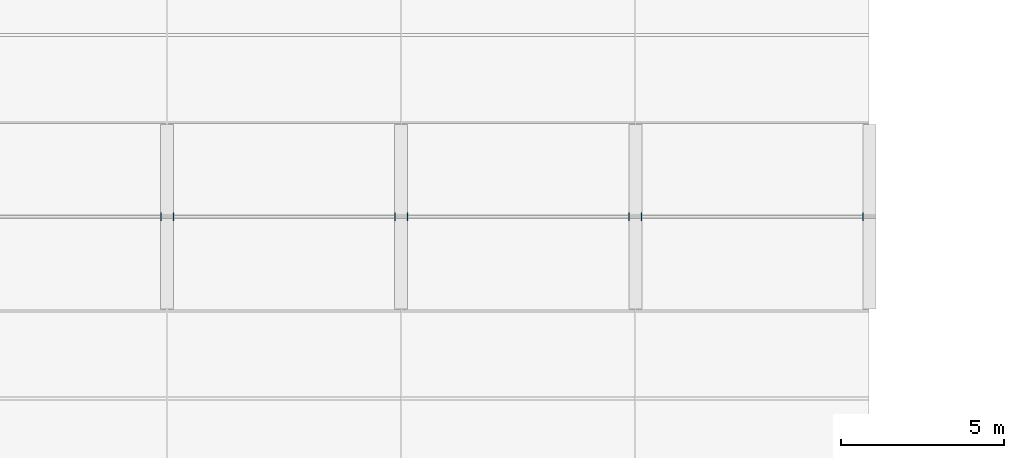
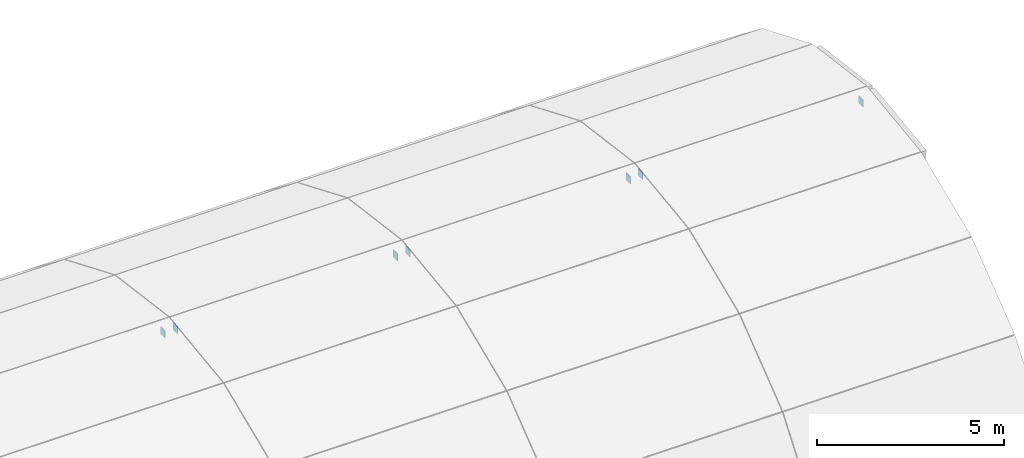
# One storey, part 21 of 51: 7 plates.
"""IFC4 building model written with IfcOpenShell, lengths in metres."""

from ifc_helpers import new_model, si_unit, direction, frame, origin, origin_2d, place, context, subcontext, project, spatial, rectangle, extrude, material, layer, layer_set, type_object, element, save


model = new_model("IFC4")

# Units and contexts
model_context = context("Model", 3, precision=1e-05, world=origin(), true_north=direction((0.0, 1.0)))
body_context = subcontext(model_context, "Body", "Model", "MODEL_VIEW")
ifc_project = project(units=[si_unit("LENGTHUNIT", "METRE"), si_unit("AREAUNIT", "SQUARE_METRE"), si_unit("VOLUMEUNIT", "CUBIC_METRE"), si_unit("PLANEANGLEUNIT", "RADIAN"), si_unit("MASSUNIT", "GRAM", prefix="KILO")], contexts=[model_context])

# Site, building, storey
site_placement = place(None, origin())
site = spatial("IfcSite", under=ifc_project, at=site_placement, CompositionType="ELEMENT")
building_placement = place(site_placement, origin())
building = spatial("IfcBuilding", under=site, at=building_placement, Name="Ochrevale Crest", CompositionType="ELEMENT")
storey_placement = place(building_placement, frame((0.0, 0.0, 11.85009765625)))
storey = spatial("IfcBuildingStorey", under=building, at=storey_placement, Name="L03", CompositionType="ELEMENT", Elevation=11.85009765625)

# Plates
ifc_material = material(Name="Steel S355", Category="steel")
ifc_layer = layer(ifc_material, 0.01611328125)
ifc_layer_set = layer_set([ifc_layer], Name="Steel S355")
plate_type = type_object("IfcPlateType", Name="PLT-CAP-16", PredefinedType="USERDEFINED", material=ifc_layer_set)
for number, where, z_axis, x_axis, name in (
    (1, (86.2080078125, 54.0, 0.794921875), (0.0, 0.0, 1.0), (1.0, 0.0, 0.0), "Vault longitudinal steel purlin B4-5 welded end cap plate CE"),
    (2, (86.592041015625, 54.0, 0.794921875), (0.0, 0.0, 1.0), (1.0, 0.0, 0.0), "Vault longitudinal steel purlin B5-5 welded end cap plate CS"),
    (3, (93.407958984375, 54.0, 0.794921875), (0.0, 0.0, 1.0), (1.0, 0.0, 0.0), "Vault longitudinal steel purlin B5-5 welded end cap plate CE"),
    (4, (93.7919921875, 54.0, 0.794921875), (0.0, 0.0, 1.0), (1.0, 0.0, 0.0), "Vault longitudinal steel purlin B6-5 welded end cap plate CS"),
    (5, (100.60791015625, 54.0, 0.794921875), (0.0, 0.0, 1.0), (1.0, 0.0, 0.0), "Vault longitudinal steel purlin B6-5 welded end cap plate CE"),
    (6, (100.991943359375, 54.0, 0.794921875), (0.0, 0.0, 1.0), (1.0, 0.0, 0.0), "Vault longitudinal steel purlin B7-5 welded end cap plate CS"),
    (7, (107.80810546875, 54.0, 0.794921875), (0.0, 0.0, 1.0), (1.0, 0.0, 0.0), "Vault longitudinal steel purlin B7-5 welded end cap plate CE"),
):
    element("IfcPlate", number, at=place(storey_placement, frame(where, z_axis=z_axis, x_axis=x_axis)), inside=storey, type_object=plate_type, Name=name, ObjectType="CAP PLATE", PredefinedType="USERDEFINED", context=body_context, shape_type="SweptSolid", body=[
        extrude(rectangle(XDim=0.01611328125, YDim=0.239990234375, at=origin_2d()), origin(), (0.0, 0.0, 1.0), 0.239990234375),
    ])

save(model, "model.ifc")
